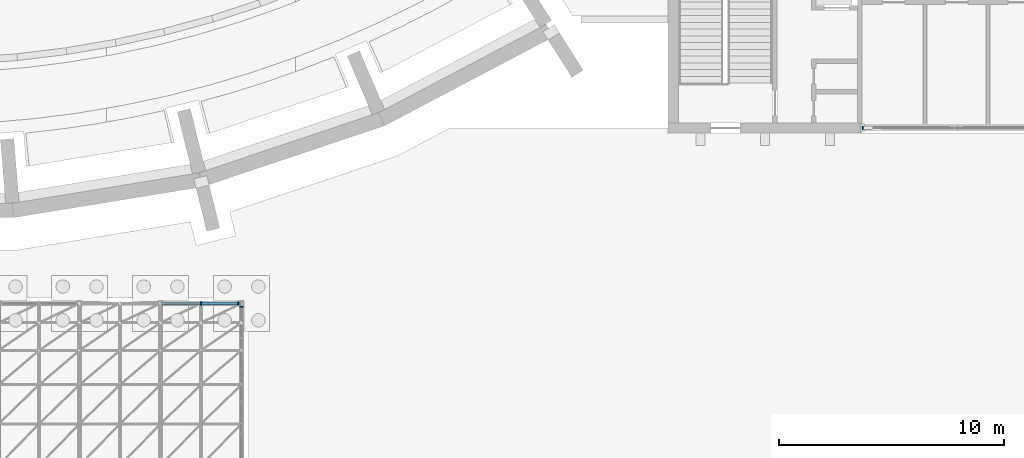
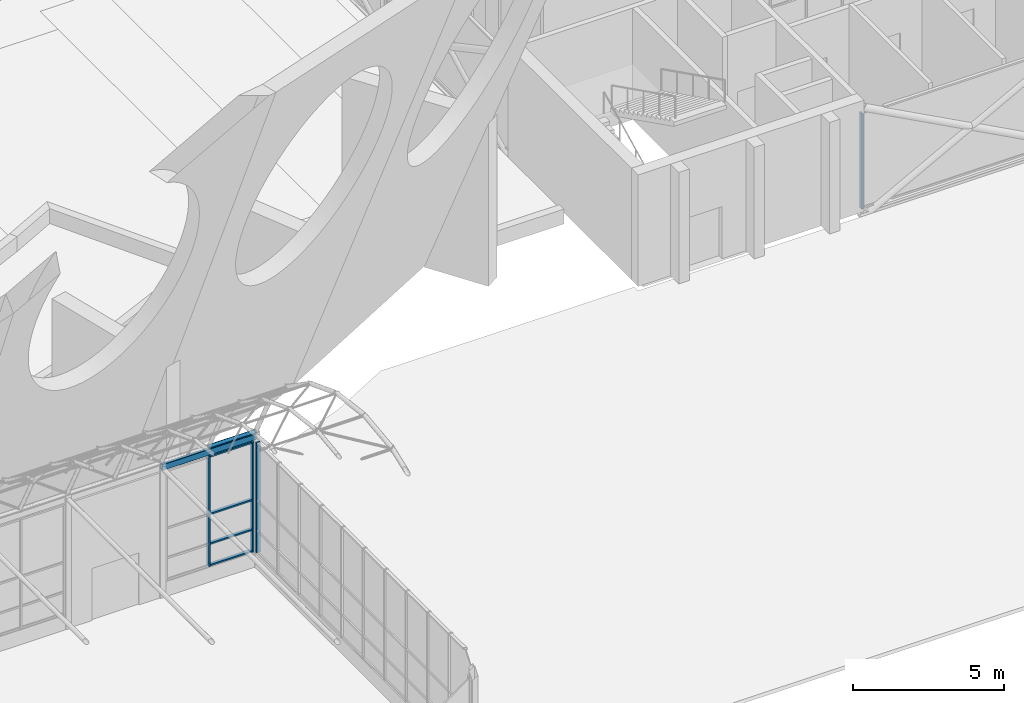
# One storey, part 38 of 116: 9 members, 1 beam, 3 elements without a shape of their own.
"""IFC4 building model written with IfcOpenShell, lengths in metres."""

from ifc_helpers import new_model, si_unit, direction, frame, origin, origin_2d, place, context, subcontext, project, spatial, rectangle, hollow_rectangle, hollow_circle, extrude, material, layer, layer_set, material_profile, profile_set, type_object, element, aggregate, save


model = new_model("IFC4")

# Units and contexts
model_context = context("Model", 3, precision=1e-05, world=origin(), true_north=direction((0.0, 1.0)))
body_context = subcontext(model_context, "Body", "Model", "MODEL_VIEW")
ifc_project = project(units=[si_unit("LENGTHUNIT", "METRE"), si_unit("AREAUNIT", "SQUARE_METRE"), si_unit("VOLUMEUNIT", "CUBIC_METRE"), si_unit("PLANEANGLEUNIT", "RADIAN"), si_unit("MASSUNIT", "GRAM", prefix="KILO")], contexts=[model_context])

# Site, building, storey
site_placement = place(None, origin())
site = spatial("IfcSite", under=ifc_project, at=site_placement, CompositionType="ELEMENT")
building_placement = place(site_placement, origin())
building = spatial("IfcBuilding", under=site, at=building_placement, Name="Ardhachandra Cancer Care Centre", CompositionType="ELEMENT")
storey_placement = place(building_placement, origin())
storey = spatial("IfcBuildingStorey", under=building, at=storey_placement, Name="L00", CompositionType="ELEMENT", Elevation=0.0)

# Beam
ifc_material_1 = material(Name="Steel E350 (IS 2062)", Category="steel")
ifc_material_profile_1 = material_profile(ifc_material_1, hollow_rectangle(XDim=0.1201171875, YDim=0.239990234375, WallThickness=0.006103515625, InnerFilletRadius=0.006103515625, OuterFilletRadius=0.011962890625, at=origin_2d()), Name="RHS 240x120x6.0")
ifc_profile_set_1 = profile_set([ifc_material_profile_1], Name="Steel E350 (IS 2062)")
beam_type = type_object("IfcBeamType", Name="Beam RHS 240x120x6.0", PredefinedType="BEAM", material=ifc_profile_set_1)
beam_placement = place(storey_placement, frame((88.800048828125, 21.60009765625, 5.210205078125), z_axis=(1.0, 0.0, 0.0), x_axis=(0.0, 1.0, 0.0)))
element("IfcBeam", 1, at=beam_placement, inside=storey, type_object=beam_type, Name="Pavilion edge beam N8-9", PredefinedType="BEAM", context=body_context, shape_type="SweptSolid", body=[
    extrude(hollow_rectangle(XDim=0.1201171875, YDim=0.239990234375, WallThickness=0.006103515625, InnerFilletRadius=0.006103515625, OuterFilletRadius=0.011962890625, at=origin_2d()), origin(), (0.0, 0.0, 1.0), 3.599853515625),
])

# Curtain wall, member
ifc_material_2 = material(Name="Aluminium extrusion", Category="aluminium")
ifc_layer = layer(ifc_material_2, 0.14990234375)
ifc_layer_set = layer_set([ifc_layer], Name="Aluminium extrusion")
curtain_wall_type = type_object("IfcCurtainWallType", Name="Curtain wall run", PredefinedType="NOTDEFINED", material=ifc_layer_set)
curtain_wall_1_placement = place(storey_placement, origin())
curtain_wall_1 = element("IfcCurtainWall", 2, at=curtain_wall_1_placement, inside=storey, type_object=curtain_wall_type, Name="Curtain wall L00 s/0120000_0029400", PredefinedType="NOTDEFINED")
ifc_material_3 = material(Name="Aluminium extrusion", Category="aluminium")
ifc_material_profile_2 = material_profile(ifc_material_3, rectangle(XDim=0.159912109375, YDim=0.06005859375, at=origin_2d()), Name="Curtain wall mullion 60 x 160")
ifc_profile_set_2 = profile_set([ifc_material_profile_2], Name="Aluminium extrusion")
member_type_1 = type_object("IfcMemberType", Name="Curtain wall mullion 60 x 160", PredefinedType="MULLION", material=ifc_profile_set_2)
member_1_placement = place(storey_placement, frame((120.030029296875, 29.39990234375, 0.0), z_axis=(0.0, 0.0, 1.0), x_axis=(0.0, 1.0, 0.0)))
member_1 = element("IfcMember", 3, at=member_1_placement, type_object=member_type_1, Name="CW mullion 1", PredefinedType="MULLION", context=body_context, shape_type="SweptSolid", body=[
    extrude(rectangle(XDim=0.159912109375, YDim=0.06005859375, at=origin_2d()), origin(), (0.0, 0.0, 1.0), 3.85009765625),
])
aggregate(curtain_wall_1, [member_1])

# Curtain wall, members
curtain_wall_2_placement = place(storey_placement, origin())
curtain_wall_2 = element("IfcCurtainWall", 4, at=curtain_wall_2_placement, inside=storey, type_object=curtain_wall_type, Name="Curtain wall L00 n/0088800_0021600", PredefinedType="NOTDEFINED")
member_2_placement = place(storey_placement, frame((90.60009765625, 21.60009765625, 0.60009765625), z_axis=(0.0, 0.0, 1.0), x_axis=(0.0, 1.0, 0.0)))
member_2 = element("IfcMember", 5, at=member_2_placement, type_object=member_type_1, Name="CW mullion 2", PredefinedType="MULLION", context=body_context, shape_type="SweptSolid", body=[
    extrude(rectangle(XDim=0.159912109375, YDim=0.06005859375, at=origin_2d()), origin(), (0.0, 0.0, 1.0), 4.449951171875),
])
member_3_placement = place(storey_placement, frame((92.2548828125, 21.60009765625, 0.60009765625), z_axis=(0.0, 0.0, 1.0), x_axis=(0.0, 1.0, 0.0)))
member_3 = element("IfcMember", 6, at=member_3_placement, type_object=member_type_1, Name="CW mullion 3", PredefinedType="MULLION", context=body_context, shape_type="SweptSolid", body=[
    extrude(rectangle(XDim=0.159912109375, YDim=0.06005859375, at=origin_2d()), origin(), (0.0, 0.0, 1.0), 4.449951171875),
])

# Curtain wall, member
curtain_wall_3_placement = place(storey_placement, origin())
curtain_wall_3 = element("IfcCurtainWall", 7, at=curtain_wall_3_placement, inside=storey, type_object=curtain_wall_type, Name="Curtain wall L00 e/0092400_0007200", PredefinedType="NOTDEFINED")
member_4_placement = place(storey_placement, frame((92.39990234375, 21.455078125, 0.60009765625), z_axis=(0.0, 0.0, 1.0), x_axis=(-1.0, 0.0, 0.0)))
member_4 = element("IfcMember", 8, at=member_4_placement, type_object=member_type_1, Name="CW mullion 11", PredefinedType="MULLION", context=body_context, shape_type="SweptSolid", body=[
    extrude(rectangle(XDim=0.159912109375, YDim=0.06005859375, at=origin_2d()), origin(), (0.0, 0.0, 1.0), 4.449951171875),
])
aggregate(curtain_wall_3, [member_4])

# Member
ifc_material_4 = material(Name="Aluminium extrusion", Category="aluminium")
ifc_material_profile_3 = material_profile(ifc_material_4, rectangle(XDim=0.1201171875, YDim=0.06005859375, at=origin_2d()), Name="Curtain wall transom 60 x 120")
ifc_profile_set_3 = profile_set([ifc_material_profile_3], Name="Aluminium extrusion")
member_type_2 = type_object("IfcMemberType", Name="Curtain wall transom 60 x 120", PredefinedType="USERDEFINED", material=ifc_profile_set_3)
member_5_placement = place(storey_placement, frame((90.6298828125, 21.60009765625, 0.6298828125), z_axis=(1.0, 0.0, 0.0), x_axis=(0.0, 1.0, 0.0)))
member_5 = element("IfcMember", 9, at=member_5_placement, type_object=member_type_2, Name="CW transom 2.1", ObjectType="TRANSOM", PredefinedType="USERDEFINED", context=body_context, shape_type="SweptSolid", body=[
    extrude(rectangle(XDim=0.1201171875, YDim=0.06005859375, at=origin_2d()), origin(), (0.0, 0.0, 1.0), 1.59521484375),
])

member_6_placement = place(storey_placement, frame((90.6298828125, 21.60009765625, 1.5), z_axis=(1.0, 0.0, 0.0), x_axis=(0.0, 1.0, 0.0)))
member_6 = element("IfcMember", 10, at=member_6_placement, type_object=member_type_2, Name="CW transom 2.2", ObjectType="TRANSOM", PredefinedType="USERDEFINED", context=body_context, shape_type="SweptSolid", body=[
    extrude(rectangle(XDim=0.1201171875, YDim=0.06005859375, at=origin_2d()), origin(), (0.0, 0.0, 1.0), 1.59521484375),
])

member_7_placement = place(storey_placement, frame((90.6298828125, 21.60009765625, 2.699951171875), z_axis=(1.0, 0.0, 0.0), x_axis=(0.0, 1.0, 0.0)))
member_7 = element("IfcMember", 11, at=member_7_placement, type_object=member_type_2, Name="CW transom 2.3", ObjectType="TRANSOM", PredefinedType="USERDEFINED", context=body_context, shape_type="SweptSolid", body=[
    extrude(rectangle(XDim=0.1201171875, YDim=0.06005859375, at=origin_2d()), origin(), (0.0, 0.0, 1.0), 1.59521484375),
])

member_8_placement = place(storey_placement, frame((90.6298828125, 21.60009765625, 5.02001953125), z_axis=(1.0, 0.0, 0.0), x_axis=(0.0, 1.0, 0.0)))
member_8 = element("IfcMember", 12, at=member_8_placement, type_object=member_type_2, Name="CW transom 2.4", ObjectType="TRANSOM", PredefinedType="USERDEFINED", context=body_context, shape_type="SweptSolid", body=[
    extrude(rectangle(XDim=0.1201171875, YDim=0.06005859375, at=origin_2d()), origin(), (0.0, 0.0, 1.0), 1.59521484375),
])

aggregate(curtain_wall_2, [member_2, member_3, member_5, member_6, member_7, member_8])

ifc_material_5 = material(Name="Steel E350 (IS 2062)", Category="steel")
ifc_material_profile_4 = material_profile(ifc_material_5, hollow_circle(Radius=0.06982421875, WallThickness=0.0048828125, at=origin_2d()), Name="CHS 139.7x5.0")
ifc_profile_set_4 = profile_set([ifc_material_profile_4], Name="Steel E350 (IS 2062)")
member_type_3 = type_object("IfcMemberType", Name="Pavilion shell Purlin CHS 139.7x5.0", PredefinedType="PURLIN", material=ifc_profile_set_4)
member_9_placement = place(storey_placement, frame((90.60009765625, 21.60009765625, 5.39990234375), z_axis=(1.0, 0.0, 0.0), x_axis=(0.0, 1.0, 0.0)))
element("IfcMember", 13, at=member_9_placement, inside=storey, type_object=member_type_3, Name="Pavilion shell purlin 15-10", PredefinedType="PURLIN", context=body_context, shape_type="SweptSolid", body=[
    extrude(hollow_circle(Radius=0.06982421875, WallThickness=0.0048828125, at=origin_2d()), origin(), (0.0, 0.0, 1.0), 1.7998046875),
])

save(model, "model.ifc")
